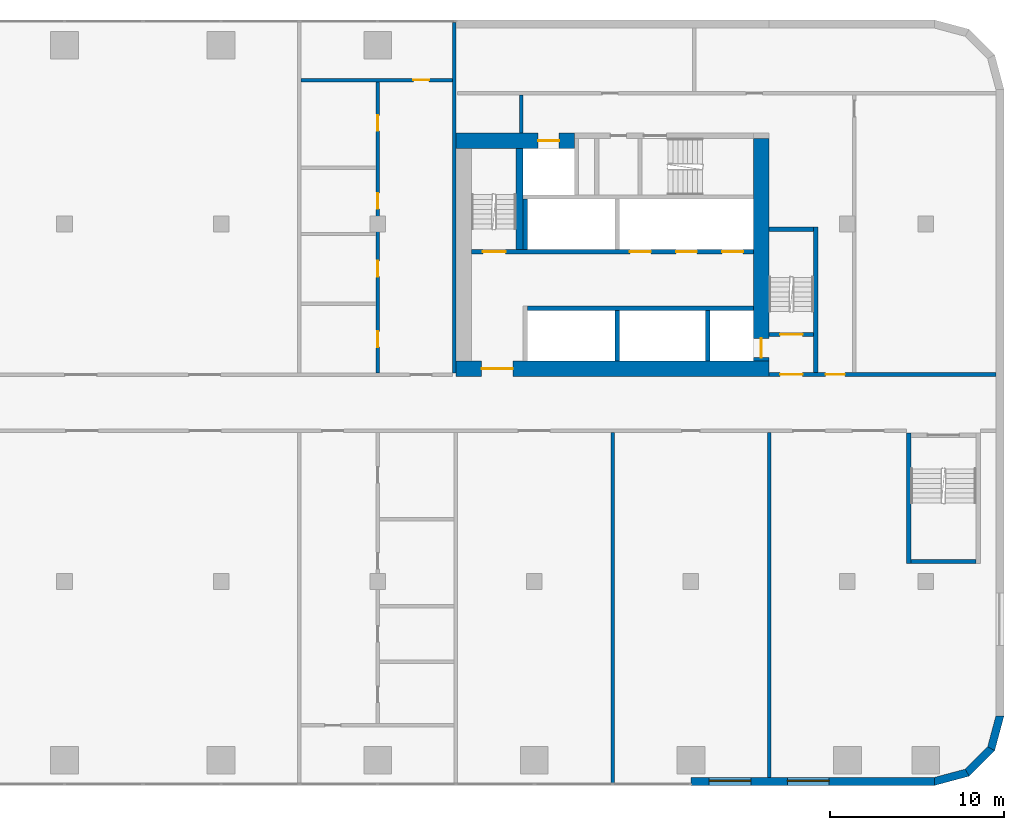
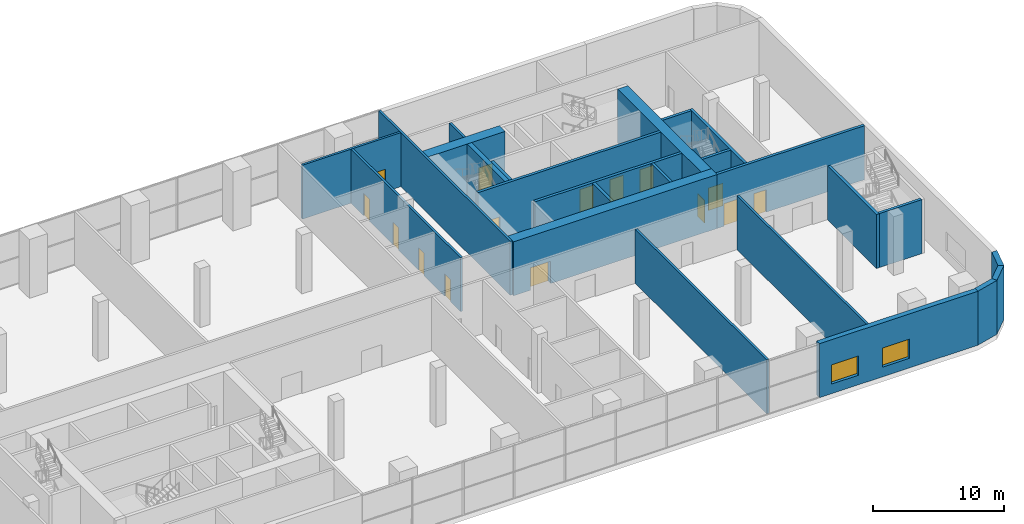
# One storey, part 12 of 21: 25 walls, 15 doors, 2 windows, 17 openings.
"""IFC4 building model written with IfcOpenShell, lengths in metres."""

from ifc_helpers import new_model, si_unit, direction, frame, frame_2d, origin, place, context, subcontext, project, spatial, polyline, rectangle, outline, extrude, material, layer, layer_set, type_object, element, fill, save


model = new_model("IFC4")

# Units and contexts
model_context = context("Model", 3, precision=1e-05, world=origin(), true_north=direction((0.0, 1.0)))
body_context = subcontext(model_context, "Body", "Model", "MODEL_VIEW")
ifc_project = project(units=[si_unit("LENGTHUNIT", "METRE"), si_unit("AREAUNIT", "SQUARE_METRE"), si_unit("VOLUMEUNIT", "CUBIC_METRE"), si_unit("PLANEANGLEUNIT", "RADIAN"), si_unit("MASSUNIT", "GRAM", prefix="KILO")], contexts=[model_context])

# Site, building, storey
site_placement = place(None, origin())
site = spatial("IfcSite", under=ifc_project, at=site_placement, CompositionType="ELEMENT")
building_placement = place(site_placement, origin())
building = spatial("IfcBuilding", under=site, at=building_placement, Name="Kajstack Hotel Tower", CompositionType="ELEMENT")
storey_placement = place(building_placement, frame((0.0, 0.0, 23.5)))
storey = spatial("IfcBuildingStorey", under=building, at=storey_placement, Name="L03", CompositionType="ELEMENT", Elevation=23.5)

# Wall, opening, door
ifc_material_1 = material(Name="Concrete C60/75", Category="concrete")
ifc_layer_1 = layer(ifc_material_1, 0.89990234375)
ifc_layer_set_1 = layer_set([ifc_layer_1], Name="Core wall 900")
wall_type_1 = type_object("IfcWallType", Name="Core wall 900", PredefinedType="SHEAR", material=ifc_layer_set_1)
wall_1_placement = place(storey_placement, frame((13.5, 1.949951171875, 0.0), z_axis=(0.0, 0.0, 1.0), x_axis=(1.0, 0.0, 0.0)))
wall_1 = element("IfcWall", 1, at=wall_1_placement, inside=storey, type_object=wall_type_1, Name="Core wall E RN", PredefinedType="SHEAR", context=body_context, shape_type="SweptSolid", body=[
    extrude(rectangle(XDim=18.0, YDim=0.89990234375, at=frame_2d((9.0, 0.0))), origin(), (0.0, 0.0, 1.0), 5.050048828125),
])
opening_1_placement = place(wall_1_placement, frame((1.47509765625, 0.0, 0.0)))
opening_1 = element("IfcOpeningElement", 2, at=opening_1_placement, cuts=wall_1, Name="Opening 03E06", PredefinedType="OPENING", context=body_context, shape_type="SweptSolid", body=[
    extrude(rectangle(XDim=1.800048828125, YDim=2.10009765625, at=frame_2d((0.89990234375, 1.050048828125))), frame((0.0, 0.4599609375, 0.0), z_axis=(0.0, -1.0, 0.0), x_axis=(1.0, 0.0, 0.0)), (0.0, 0.0, 1.0), 0.919921875),
])
ifc_material_2 = material(Name="Glazed steel frame, fire-rated glass", Category="steel")
door_type_1 = type_object("IfcDoorType", Name="Lobby double door 1800", OperationType="DOUBLE_DOOR_DOUBLE_SWING", PredefinedType="DOOR", material=ifc_material_2)
door_1_placement = place(opening_1_placement, origin())
door_1 = element("IfcDoor", 3, at=door_1_placement, inside=storey, type_object=door_type_1, Name="Door 03E06", OperationType="DOUBLE_DOOR_DOUBLE_SWING", OverallHeight=2.10009765625, OverallWidth=1.800048828125, PredefinedType="DOOR", context=body_context, shape_type="SweptSolid", body=[
    extrude(rectangle(XDim=1.800048828125, YDim=2.10009765625, at=frame_2d((0.89990234375, 1.050048828125))), frame((0.0, 0.02490234375, 0.0), z_axis=(0.0, -1.0, 0.0), x_axis=(1.0, 0.0, 0.0)), (0.0, 0.0, 1.0), 0.050048828125),
])
fill(opening_1, door_1)

wall_2_placement = place(storey_placement, frame((13.5, 15.050048828125, 0.0), z_axis=(0.0, 0.0, 1.0), x_axis=(1.0, 0.0, 0.0)))
wall_2 = element("IfcWall", 4, at=wall_2_placement, inside=storey, type_object=wall_type_1, Name="Core wall E RS", PredefinedType="SHEAR", context=body_context, shape_type="SweptSolid", body=[
    extrude(rectangle(XDim=6.800048828125, YDim=0.89990234375, at=frame_2d((3.39990234375, 0.0))), origin(), (0.0, 0.0, 1.0), 5.050048828125),
])
opening_2_placement = place(wall_2_placement, frame((4.72509765625, 0.0, 0.0)))
opening_2 = element("IfcOpeningElement", 5, at=opening_2_placement, cuts=wall_2, Name="Opening LD-SV2", PredefinedType="OPENING", context=body_context, shape_type="SweptSolid", body=[
    extrude(rectangle(XDim=1.199951171875, YDim=2.10009765625, at=frame_2d((0.60009765625, 1.050048828125))), frame((0.0, 0.4599609375, 0.0), z_axis=(0.0, -1.0, 0.0), x_axis=(1.0, 0.0, 0.0)), (0.0, 0.0, 1.0), 0.919921875),
])
ifc_material_3 = material(Name="Stainless steel", Category="steel")
door_type_2 = type_object("IfcDoorType", Name="Lift landing door 1200", OperationType="SLIDING_TO_LEFT", PredefinedType="DOOR", material=ifc_material_3)
door_2_placement = place(opening_2_placement, origin())
door_2 = element("IfcDoor", 6, at=door_2_placement, inside=storey, type_object=door_type_2, Name="Landing door SV2", OperationType="SLIDING_TO_LEFT", OverallHeight=2.10009765625, OverallWidth=1.199951171875, PredefinedType="DOOR", context=body_context, shape_type="SweptSolid", body=[
    extrude(rectangle(XDim=1.199951171875, YDim=2.10009765625, at=frame_2d((0.60009765625, 1.050048828125))), frame((0.0, 0.02490234375, 0.0), z_axis=(0.0, -1.0, 0.0), x_axis=(1.0, 0.0, 0.0)), (0.0, 0.0, 1.0), 0.050048828125),
])
fill(opening_2, door_2)

wall_3_placement = place(storey_placement, frame((31.050048828125, 2.39990234375, 0.0), z_axis=(0.0, 0.0, 1.0), x_axis=(0.0, 1.0, 0.0)))
wall_3 = element("IfcWall", 7, at=wall_3_placement, inside=storey, type_object=wall_type_1, Name="Core wall E RW", PredefinedType="SHEAR", context=body_context, shape_type="SweptSolid", body=[
    extrude(rectangle(XDim=12.800048828125, YDim=0.89990234375, at=frame_2d((6.39990234375, 0.0))), origin(), (0.0, 0.0, 1.0), 5.050048828125),
])
opening_3_placement = place(wall_3_placement, frame((0.199951171875, 0.0, 0.0)))
opening_3 = element("IfcOpeningElement", 8, at=opening_3_placement, cuts=wall_3, Name="Opening LD-FF2", PredefinedType="OPENING", context=body_context, shape_type="SweptSolid", body=[
    extrude(rectangle(XDim=1.10009765625, YDim=2.10009765625, at=frame_2d((0.550048828125, 1.050048828125))), frame((0.0, 0.4599609375, 0.0), z_axis=(0.0, -1.0, 0.0), x_axis=(1.0, 0.0, 0.0)), (0.0, 0.0, 1.0), 0.919921875),
])
door_type_3 = type_object("IfcDoorType", Name="Fire-fighting lift landing door 1100", OperationType="SLIDING_TO_LEFT", PredefinedType="DOOR", material=ifc_material_3)
door_3_placement = place(opening_3_placement, origin())
door_3 = element("IfcDoor", 9, at=door_3_placement, inside=storey, type_object=door_type_3, Name="Landing door FF2", OperationType="SLIDING_TO_LEFT", OverallHeight=2.10009765625, OverallWidth=1.10009765625, PredefinedType="DOOR", context=body_context, shape_type="SweptSolid", body=[
    extrude(rectangle(XDim=1.10009765625, YDim=2.10009765625, at=frame_2d((0.550048828125, 1.050048828125))), frame((0.0, 0.02490234375, 0.0), z_axis=(0.0, -1.0, 0.0), x_axis=(1.0, 0.0, 0.0)), (0.0, 0.0, 1.0), 0.050048828125),
])
fill(opening_3, door_3)

# Wall, openings, windows
ifc_material_4 = material(Name="Terracotta-faced brick masonry", Category="masonry")
ifc_layer_2 = layer(ifc_material_4, 0.449951171875)
ifc_layer_set_2 = layer_set([ifc_layer_2], Name="EW-TERRA")
wall_type_2 = type_object("IfcWallType", Name="EW-TERRA", PredefinedType="SOLIDWALL", material=ifc_layer_set_2)
wall_4_placement = place(storey_placement, frame((27.0, -21.77490234375, 0.0), z_axis=(0.0, 0.0, 1.0), x_axis=(1.0, 0.0, 0.0)))
wall_4 = element("IfcWall", 10, at=wall_4_placement, inside=storey, type_object=wall_type_2, Name="E-wall-L03-03-03", PredefinedType="SOLIDWALL", context=body_context, shape_type="SweptSolid", body=[
    extrude(rectangle(XDim=14.0, YDim=0.449951171875, at=frame_2d((7.0, 0.0))), origin(), (0.0, 0.0, 1.0), 5.050048828125),
])
opening_4_placement = place(wall_4_placement, frame((1.050048828125, 0.0, 0.89990234375)))
opening_4 = element("IfcOpeningElement", 11, at=opening_4_placement, cuts=wall_4, Name="Opening W4", PredefinedType="OPENING", context=body_context, shape_type="SweptSolid", body=[
    extrude(rectangle(XDim=2.39990234375, YDim=1.800048828125, at=frame_2d((1.199951171875, 0.89990234375))), frame((0.0, 0.23486328125, 0.0), z_axis=(0.0, -1.0, 0.0), x_axis=(1.0, 0.0, 0.0)), (0.0, 0.0, 1.0), 0.469970703125),
])
opening_5_placement = place(wall_4_placement, frame((5.550048828125, 0.0, 0.89990234375)))
opening_5 = element("IfcOpeningElement", 12, at=opening_5_placement, cuts=wall_4, Name="Opening W4", PredefinedType="OPENING", context=body_context, shape_type="SweptSolid", body=[
    extrude(rectangle(XDim=2.39990234375, YDim=1.800048828125, at=frame_2d((1.199951171875, 0.89990234375))), frame((0.0, 0.23486328125, 0.0), z_axis=(0.0, -1.0, 0.0), x_axis=(1.0, 0.0, 0.0)), (0.0, 0.0, 1.0), 0.469970703125),
])
ifc_material_5 = material(Name="Timber-aluminium window, triple glazed", Category="wood")
window_type = type_object("IfcWindowType", Name="WP1", PartitioningType="SINGLE_PANEL", PredefinedType="WINDOW", material=ifc_material_5)
window_1_placement = place(opening_4_placement, origin())
window_1 = element("IfcWindow", 13, at=window_1_placement, inside=storey, type_object=window_type, Name="Window W4 L03-03", OverallHeight=1.800048828125, OverallWidth=2.39990234375, PartitioningType="SINGLE_PANEL", PredefinedType="WINDOW", context=body_context, shape_type="SweptSolid", body=[
    extrude(rectangle(XDim=2.39990234375, YDim=1.800048828125, at=frame_2d((1.199951171875, 0.89990234375))), frame((0.0, 0.090087890625, 0.0), z_axis=(0.0, -1.0, 0.0), x_axis=(1.0, 0.0, 0.0)), (0.0, 0.0, 1.0), 0.06005859375),
])
fill(opening_4, window_1)
window_2_placement = place(opening_5_placement, origin())
window_2 = element("IfcWindow", 14, at=window_2_placement, inside=storey, type_object=window_type, Name="Window W4 L03-03", OverallHeight=1.800048828125, OverallWidth=2.39990234375, PartitioningType="SINGLE_PANEL", PredefinedType="WINDOW", context=body_context, shape_type="SweptSolid", body=[
    extrude(rectangle(XDim=2.39990234375, YDim=1.800048828125, at=frame_2d((1.199951171875, 0.89990234375))), frame((0.0, 0.090087890625, 0.0), z_axis=(0.0, -1.0, 0.0), x_axis=(1.0, 0.0, 0.0)), (0.0, 0.0, 1.0), 0.06005859375),
])
fill(opening_5, window_2)

# Walls
wall_5_placement = place(storey_placement, frame((40.941650390625, -21.78271484375, 0.0), z_axis=(0.0, 0.0, 1.0), x_axis=(0.965926999034, 0.25881466832, 0.0)))
element("IfcWall", 15, at=wall_5_placement, inside=storey, type_object=wall_type_2, Name="E-wall-L03-04-00", PredefinedType="SOLIDWALL", context=body_context, shape_type="SweptSolid", body=[
    extrude(outline(polyline([(0.000244140625, -0.22509765625), (2.070556640625, -0.224853515625), (1.9501953125, 0.22509765625), (0.12060546875, 0.22509765625), (0.000244140625, -0.22509765625)])), origin(), (0.0, 0.0, 1.0), 5.050048828125),
])
wall_6_placement = place(storey_placement, frame((42.8408203125, -21.304931640625, 0.0), z_axis=(0.0, 0.0, 1.0), x_axis=(0.707106781187, 0.707106781187, 0.0)))
element("IfcWall", 16, at=wall_6_placement, inside=storey, type_object=wall_type_2, Name="E-wall-L03-05-00", PredefinedType="SOLIDWALL", context=body_context, shape_type="SweptSolid", body=[
    extrude(outline(polyline([(0.0, -0.22509765625), (2.070556640625, -0.22509765625), (1.949951171875, 0.224853515625), (0.12060546875, 0.224853515625), (0.0, -0.22509765625)])), origin(), (0.0, 0.0, 1.0), 5.050048828125),
])
wall_7_placement = place(storey_placement, frame((44.246826171875, -19.941650390625, 0.0), z_axis=(0.0, 0.0, 1.0), x_axis=(0.25881466832, 0.965926999034, 0.0)))
element("IfcWall", 17, at=wall_7_placement, inside=storey, type_object=wall_type_2, Name="E-wall-L03-06-00", PredefinedType="SOLIDWALL", context=body_context, shape_type="SweptSolid", body=[
    extrude(outline(polyline([(-0.000244140625, -0.224853515625), (2.0703125, -0.22509765625), (1.949951171875, 0.22509765625), (0.120361328125, 0.22509765625), (-0.000244140625, -0.224853515625)])), origin(), (0.0, 0.0, 1.0), 5.050048828125),
])
ifc_material_6 = material(Name="Concrete C50/60", Category="concrete")
ifc_layer_3 = layer(ifc_material_6, 0.300048828125)
ifc_layer_set_3 = layer_set([ifc_layer_3], Name="Hoistway divider wall 300")
wall_type_3 = type_object("IfcWallType", Name="Hoistway divider wall 300", PredefinedType="SHEAR", material=ifc_layer_set_3)
wall_8_placement = place(storey_placement, frame((22.77490234375, 2.39990234375, 0.0), z_axis=(0.0, 0.0, 1.0), x_axis=(0.0, 1.0, 0.0)))
element("IfcWall", 18, at=wall_8_placement, inside=storey, type_object=wall_type_3, Name="Core wall E AP2", PredefinedType="SHEAR", context=body_context, shape_type="SweptSolid", body=[
    extrude(rectangle(XDim=2.900146484375, YDim=0.25, at=frame_2d((1.4501953125, 0.0))), origin(), (0.0, 0.0, 1.0), 5.050048828125),
])

# Wall, openings, doors
ifc_material_7 = material(Name="Gypsum board on steel studs, mineral wool", Category="steel")
ifc_layer_4 = layer(ifc_material_7, 0.199951171875)
ifc_layer_set_4 = layer_set([ifc_layer_4], Name="Public partition 200")
wall_type_4 = type_object("IfcWallType", Name="Public partition 200", PredefinedType="PARTITIONING", material=ifc_layer_set_4)
wall_9_placement = place(storey_placement, frame((9.0, 1.699951171875, 0.0), z_axis=(0.0, 0.0, 1.0), x_axis=(0.0, 1.0, 0.0)))
wall_9 = element("IfcWall", 19, at=wall_9_placement, inside=storey, type_object=wall_type_4, Name="Partition C0CW", PredefinedType="PARTITIONING", context=body_context, shape_type="SweptSolid", body=[
    extrude(rectangle(XDim=16.75, YDim=0.199951171875, at=frame_2d((8.375, 0.0))), origin(), (0.0, 0.0, 1.0), 5.050048828125),
])
opening_6_placement = place(wall_9_placement, frame((1.5, 0.0, 0.0)))
opening_6 = element("IfcOpeningElement", 20, at=opening_6_placement, cuts=wall_9, Name="Opening 03P02", PredefinedType="OPENING", context=body_context, shape_type="SweptSolid", body=[
    extrude(rectangle(XDim=0.89990234375, YDim=2.10009765625, at=frame_2d((0.449951171875, 1.050048828125))), frame((0.0, 0.10986328125, 0.0), z_axis=(0.0, -1.0, 0.0), x_axis=(1.0, 0.0, 0.0)), (0.0, 0.0, 1.0), 0.219970703125),
])
opening_7_placement = place(wall_9_placement, frame((5.550048828125, 0.0, 0.0)))
opening_7 = element("IfcOpeningElement", 21, at=opening_7_placement, cuts=wall_9, Name="Opening 03P03", PredefinedType="OPENING", context=body_context, shape_type="SweptSolid", body=[
    extrude(rectangle(XDim=0.89990234375, YDim=2.10009765625, at=frame_2d((0.449951171875, 1.050048828125))), frame((0.0, 0.10986328125, 0.0), z_axis=(0.0, -1.0, 0.0), x_axis=(1.0, 0.0, 0.0)), (0.0, 0.0, 1.0), 0.219970703125),
])
opening_8_placement = place(wall_9_placement, frame((9.449951171875, 0.0, 0.0)))
opening_8 = element("IfcOpeningElement", 22, at=opening_8_placement, cuts=wall_9, Name="Opening 03P04", PredefinedType="OPENING", context=body_context, shape_type="SweptSolid", body=[
    extrude(rectangle(XDim=0.89990234375, YDim=2.10009765625, at=frame_2d((0.449951171875, 1.050048828125))), frame((0.0, 0.10986328125, 0.0), z_axis=(0.0, -1.0, 0.0), x_axis=(1.0, 0.0, 0.0)), (0.0, 0.0, 1.0), 0.219970703125),
])
opening_9_placement = place(wall_9_placement, frame((13.925048828125, 0.0, 0.0)))
opening_9 = element("IfcOpeningElement", 23, at=opening_9_placement, cuts=wall_9, Name="Opening 03P05", PredefinedType="OPENING", context=body_context, shape_type="SweptSolid", body=[
    extrude(rectangle(XDim=0.89990234375, YDim=2.10009765625, at=frame_2d((0.449951171875, 1.050048828125))), frame((0.0, 0.10986328125, 0.0), z_axis=(0.0, -1.0, 0.0), x_axis=(1.0, 0.0, 0.0)), (0.0, 0.0, 1.0), 0.219970703125),
])
ifc_material_8 = material(Name="Timber leaf", Category="wood")
door_type_4 = type_object("IfcDoorType", Name="Public room door 900", OperationType="SINGLE_SWING_LEFT", PredefinedType="DOOR", material=ifc_material_8)
door_4_placement = place(opening_6_placement, origin())
door_4 = element("IfcDoor", 24, at=door_4_placement, inside=storey, type_object=door_type_4, Name="Door 03P02", OperationType="SINGLE_SWING_LEFT", OverallHeight=2.10009765625, OverallWidth=0.89990234375, PredefinedType="DOOR", context=body_context, shape_type="SweptSolid", body=[
    extrude(rectangle(XDim=0.89990234375, YDim=2.10009765625, at=frame_2d((0.449951171875, 1.050048828125))), frame((0.0, 0.02490234375, 0.0), z_axis=(0.0, -1.0, 0.0), x_axis=(1.0, 0.0, 0.0)), (0.0, 0.0, 1.0), 0.050048828125),
])
fill(opening_6, door_4)
door_5_placement = place(opening_7_placement, origin())
door_5 = element("IfcDoor", 25, at=door_5_placement, inside=storey, type_object=door_type_4, Name="Door 03P03", OperationType="SINGLE_SWING_LEFT", OverallHeight=2.10009765625, OverallWidth=0.89990234375, PredefinedType="DOOR", context=body_context, shape_type="SweptSolid", body=[
    extrude(rectangle(XDim=0.89990234375, YDim=2.10009765625, at=frame_2d((0.449951171875, 1.050048828125))), frame((0.0, 0.02490234375, 0.0), z_axis=(0.0, -1.0, 0.0), x_axis=(1.0, 0.0, 0.0)), (0.0, 0.0, 1.0), 0.050048828125),
])
fill(opening_7, door_5)
door_6_placement = place(opening_8_placement, origin())
door_6 = element("IfcDoor", 26, at=door_6_placement, inside=storey, type_object=door_type_4, Name="Door 03P04", OperationType="SINGLE_SWING_LEFT", OverallHeight=2.10009765625, OverallWidth=0.89990234375, PredefinedType="DOOR", context=body_context, shape_type="SweptSolid", body=[
    extrude(rectangle(XDim=0.89990234375, YDim=2.10009765625, at=frame_2d((0.449951171875, 1.050048828125))), frame((0.0, 0.02490234375, 0.0), z_axis=(0.0, -1.0, 0.0), x_axis=(1.0, 0.0, 0.0)), (0.0, 0.0, 1.0), 0.050048828125),
])
fill(opening_8, door_6)
door_7_placement = place(opening_9_placement, origin())
door_7 = element("IfcDoor", 27, at=door_7_placement, inside=storey, type_object=door_type_4, Name="Door 03P05", OperationType="SINGLE_SWING_LEFT", OverallHeight=2.10009765625, OverallWidth=0.89990234375, PredefinedType="DOOR", context=body_context, shape_type="SweptSolid", body=[
    extrude(rectangle(XDim=0.89990234375, YDim=2.10009765625, at=frame_2d((0.449951171875, 1.050048828125))), frame((0.0, 0.02490234375, 0.0), z_axis=(0.0, -1.0, 0.0), x_axis=(1.0, 0.0, 0.0)), (0.0, 0.0, 1.0), 0.050048828125),
])
fill(opening_9, door_7)

# Wall, opening, door
wall_10_placement = place(storey_placement, frame((4.60009765625, 18.550048828125, 0.0), z_axis=(0.0, 0.0, 1.0), x_axis=(1.0, 0.0, 0.0)))
wall_10 = element("IfcWall", 28, at=wall_10_placement, inside=storey, type_object=wall_type_4, Name="Partition C0BW", PredefinedType="PARTITIONING", context=body_context, shape_type="SweptSolid", body=[
    extrude(rectangle(XDim=8.699951171875, YDim=0.199951171875, at=frame_2d((4.35009765625, 0.0))), origin(), (0.0, 0.0, 1.0), 5.050048828125),
])
opening_10_placement = place(wall_10_placement, frame((6.449951171875, 0.0, 0.0)))
opening_10 = element("IfcOpeningElement", 29, at=opening_10_placement, cuts=wall_10, Name="Opening 03P06", PredefinedType="OPENING", context=body_context, shape_type="SweptSolid", body=[
    extrude(rectangle(XDim=0.89990234375, YDim=2.10009765625, at=frame_2d((0.449951171875, 1.050048828125))), frame((0.0, 0.10986328125, 0.0), z_axis=(0.0, -1.0, 0.0), x_axis=(1.0, 0.0, 0.0)), (0.0, 0.0, 1.0), 0.219970703125),
])
door_8_placement = place(opening_10_placement, origin())
door_8 = element("IfcDoor", 30, at=door_8_placement, inside=storey, type_object=door_type_4, Name="Door 03P06", OperationType="SINGLE_SWING_LEFT", OverallHeight=2.10009765625, OverallWidth=0.89990234375, PredefinedType="DOOR", context=body_context, shape_type="SweptSolid", body=[
    extrude(rectangle(XDim=0.89990234375, YDim=2.10009765625, at=frame_2d((0.449951171875, 1.050048828125))), frame((0.0, 0.02490234375, 0.0), z_axis=(0.0, -1.0, 0.0), x_axis=(1.0, 0.0, 0.0)), (0.0, 0.0, 1.0), 0.050048828125),
])
fill(opening_10, door_8)

# Walls
for number, where, z_axis, x_axis, name in (
    (31, (13.39990234375, 1.699951171875, 0.0), (0.0, 0.0, 1.0), (0.0, 1.0, 0.0), "Partition EW"),
    (32, (22.5, -21.85009765625, 0.0), (0.0, 0.0, 1.0), (0.0, 1.0, 0.0), "Partition SPX2"),
):
    element("IfcWall", number, at=place(storey_placement, frame(where, z_axis=z_axis, x_axis=x_axis)), inside=storey, type_object=wall_type_4, Name=name, PredefinedType="PARTITIONING", context=body_context, shape_type="SweptSolid", body=[
        extrude(rectangle(XDim=20.150146484375, YDim=0.199951171875, at=frame_2d((10.0751953125, 0.0))), origin(), (0.0, 0.0, 1.0), 5.050048828125),
    ])
wall_11_placement = place(storey_placement, frame((31.5, -21.550048828125, 0.0), z_axis=(0.0, 0.0, 1.0), x_axis=(0.0, 1.0, 0.0)))
element("IfcWall", 33, at=wall_11_placement, inside=storey, type_object=wall_type_4, Name="Partition SPX3", PredefinedType="PARTITIONING", context=body_context, shape_type="SweptSolid", body=[
    extrude(rectangle(XDim=19.85009765625, YDim=0.199951171875, at=frame_2d((9.925048828125, 0.0))), origin(), (0.0, 0.0, 1.0), 5.050048828125),
])

# Wall, openings, doors
ifc_layer_5 = layer(ifc_material_7, 0.199951171875)
ifc_layer_set_5 = layer_set([ifc_layer_5], Name="Service partition 200")
wall_type_5 = type_object("IfcWallType", Name="Service partition 200", PredefinedType="PARTITIONING", material=ifc_layer_set_5)
wall_12_placement = place(storey_placement, frame((31.5, 1.625, 0.0), z_axis=(0.0, 0.0, 1.0), x_axis=(1.0, 0.0, 0.0)))
wall_12 = element("IfcWall", 34, at=wall_12_placement, inside=storey, type_object=wall_type_5, Name="Partition E SN", PredefinedType="PARTITIONING", context=body_context, shape_type="SweptSolid", body=[
    extrude(rectangle(XDim=13.050048828125, YDim=0.25, at=frame_2d((6.52490234375, 0.0))), origin(), (0.0, 0.0, 1.0), 5.050048828125),
])
opening_11_placement = place(wall_12_placement, frame((0.625, 0.0, 0.0)))
opening_11 = element("IfcOpeningElement", 35, at=opening_11_placement, cuts=wall_12, Name="Opening 03E07", PredefinedType="OPENING", context=body_context, shape_type="SweptSolid", body=[
    extrude(rectangle(XDim=1.300048828125, YDim=2.10009765625, at=frame_2d((0.64990234375, 1.050048828125))), frame((0.0, 0.135009765625, 0.0), z_axis=(0.0, -1.0, 0.0), x_axis=(1.0, 0.0, 0.0)), (0.0, 0.0, 1.0), 0.27001953125),
])
opening_12_placement = place(wall_12_placement, frame((3.25, 0.0, 0.0)))
opening_12 = element("IfcOpeningElement", 36, at=opening_12_placement, cuts=wall_12, Name="Opening 03E09", PredefinedType="OPENING", context=body_context, shape_type="SweptSolid", body=[
    extrude(rectangle(XDim=1.10009765625, YDim=2.10009765625, at=frame_2d((0.550048828125, 1.050048828125))), frame((0.0, 0.135009765625, 0.0), z_axis=(0.0, -1.0, 0.0), x_axis=(1.0, 0.0, 0.0)), (0.0, 0.0, 1.0), 0.27001953125),
])
ifc_material_9 = material(Name="Steel leaf, fire-rated", Category="steel")
door_type_5 = type_object("IfcDoorType", Name="Fire lobby door 1300", OperationType="SINGLE_SWING_LEFT", PredefinedType="DOOR", material=ifc_material_9)
door_9_placement = place(opening_11_placement, origin())
door_9 = element("IfcDoor", 37, at=door_9_placement, inside=storey, type_object=door_type_5, Name="Door 03E07", OperationType="SINGLE_SWING_LEFT", OverallHeight=2.10009765625, OverallWidth=1.300048828125, PredefinedType="DOOR", context=body_context, shape_type="SweptSolid", body=[
    extrude(rectangle(XDim=1.300048828125, YDim=2.10009765625, at=frame_2d((0.64990234375, 1.050048828125))), frame((0.0, 0.02490234375, 0.0), z_axis=(0.0, -1.0, 0.0), x_axis=(1.0, 0.0, 0.0)), (0.0, 0.0, 1.0), 0.050048828125),
])
fill(opening_11, door_9)
ifc_material_10 = material(Name="Timber leaf, fire-rated", Category="wood")
door_type_6 = type_object("IfcDoorType", Name="Service corridor door 1100", OperationType="SINGLE_SWING_LEFT", PredefinedType="DOOR", material=ifc_material_10)
door_10_placement = place(opening_12_placement, origin())
door_10 = element("IfcDoor", 38, at=door_10_placement, inside=storey, type_object=door_type_6, Name="Door 03E09", OperationType="SINGLE_SWING_LEFT", OverallHeight=2.10009765625, OverallWidth=1.10009765625, PredefinedType="DOOR", context=body_context, shape_type="SweptSolid", body=[
    extrude(rectangle(XDim=1.10009765625, YDim=2.10009765625, at=frame_2d((0.550048828125, 1.050048828125))), frame((0.0, 0.02490234375, 0.0), z_axis=(0.0, -1.0, 0.0), x_axis=(1.0, 0.0, 0.0)), (0.0, 0.0, 1.0), 0.050048828125),
])
fill(opening_12, door_10)

# Walls
wall_13_placement = place(storey_placement, frame((17.25, 15.5, 0.0), z_axis=(0.0, 0.0, 1.0), x_axis=(0.0, 1.0, 0.0)))
element("IfcWall", 39, at=wall_13_placement, inside=storey, type_object=wall_type_5, Name="Partition E SCE", PredefinedType="PARTITIONING", context=body_context, shape_type="SweptSolid", body=[
    extrude(rectangle(XDim=2.199951171875, YDim=0.199951171875, at=frame_2d((1.10009765625, 0.0))), origin(), (0.0, 0.0, 1.0), 5.050048828125),
])
ifc_layer_6 = layer(ifc_material_6, 0.25)
ifc_layer_set_6 = layer_set([ifc_layer_6], Name="Shaft wall 250")
wall_type_6 = type_object("IfcWallType", Name="Shaft wall 250", PredefinedType="SHEAR", material=ifc_layer_set_6)
wall_14_placement = place(storey_placement, frame((17.60009765625, 5.425048828125, 0.0), z_axis=(0.0, 0.0, 1.0), x_axis=(1.0, 0.0, 0.0)))
element("IfcWall", 40, at=wall_14_placement, inside=storey, type_object=wall_type_6, Name="Core wall E FA", PredefinedType="SHEAR", context=body_context, shape_type="SweptSolid", body=[
    extrude(rectangle(XDim=13.0, YDim=0.25, at=frame_2d((6.5, 0.0))), origin(), (0.0, 0.0, 1.0), 5.050048828125),
])
wall_15_placement = place(storey_placement, frame((27.97509765625, 2.39990234375, 0.0), z_axis=(0.0, 0.0, 1.0), x_axis=(0.0, 1.0, 0.0)))
element("IfcWall", 41, at=wall_15_placement, inside=storey, type_object=wall_type_6, Name="Core wall E AP0", PredefinedType="SHEAR", context=body_context, shape_type="SweptSolid", body=[
    extrude(rectangle(XDim=2.900146484375, YDim=0.25, at=frame_2d((1.4501953125, 0.0))), origin(), (0.0, 0.0, 1.0), 5.050048828125),
])

# Wall, openings, doors
wall_16_placement = place(storey_placement, frame((14.39990234375, 8.675048828125, 0.0), z_axis=(0.0, 0.0, 1.0), x_axis=(1.0, 0.0, 0.0)))
wall_16 = element("IfcWall", 42, at=wall_16_placement, inside=storey, type_object=wall_type_6, Name="Core wall E FB", PredefinedType="SHEAR", context=body_context, shape_type="SweptSolid", body=[
    extrude(rectangle(XDim=16.2001953125, YDim=0.25, at=frame_2d((8.10009765625, 0.0))), origin(), (0.0, 0.0, 1.0), 5.050048828125),
])
opening_13_placement = place(wall_16_placement, frame((14.39990234375, 0.0, 0.0)))
opening_13 = element("IfcOpeningElement", 43, at=opening_13_placement, cuts=wall_16, Name="Opening LD-LR4", PredefinedType="OPENING", context=body_context, shape_type="SweptSolid", body=[
    extrude(rectangle(XDim=1.199951171875, YDim=2.10009765625, at=frame_2d((0.60009765625, 1.050048828125))), frame((0.0, 0.135009765625, 0.0), z_axis=(0.0, -1.0, 0.0), x_axis=(1.0, 0.0, 0.0)), (0.0, 0.0, 1.0), 0.27001953125),
])
opening_14_placement = place(wall_16_placement, frame((11.75, 0.0, 0.0)))
opening_14 = element("IfcOpeningElement", 44, at=opening_14_placement, cuts=wall_16, Name="Opening LD-LR5", PredefinedType="OPENING", context=body_context, shape_type="SweptSolid", body=[
    extrude(rectangle(XDim=1.199951171875, YDim=2.10009765625, at=frame_2d((0.60009765625, 1.050048828125))), frame((0.0, 0.135009765625, 0.0), z_axis=(0.0, -1.0, 0.0), x_axis=(1.0, 0.0, 0.0)), (0.0, 0.0, 1.0), 0.27001953125),
])
opening_15_placement = place(wall_16_placement, frame((9.10009765625, 0.0, 0.0)))
opening_15 = element("IfcOpeningElement", 45, at=opening_15_placement, cuts=wall_16, Name="Opening LD-LR6", PredefinedType="OPENING", context=body_context, shape_type="SweptSolid", body=[
    extrude(rectangle(XDim=1.199951171875, YDim=2.10009765625, at=frame_2d((0.60009765625, 1.050048828125))), frame((0.0, 0.135009765625, 0.0), z_axis=(0.0, -1.0, 0.0), x_axis=(1.0, 0.0, 0.0)), (0.0, 0.0, 1.0), 0.27001953125),
])
opening_16_placement = place(wall_16_placement, frame((0.64990234375, 0.0, 0.0)))
opening_16 = element("IfcOpeningElement", 46, at=opening_16_placement, cuts=wall_16, Name="Opening 03E10", PredefinedType="OPENING", context=body_context, shape_type="SweptSolid", body=[
    extrude(rectangle(XDim=1.300048828125, YDim=2.10009765625, at=frame_2d((0.64990234375, 1.050048828125))), frame((0.0, 0.135009765625, 0.0), z_axis=(0.0, -1.0, 0.0), x_axis=(1.0, 0.0, 0.0)), (0.0, 0.0, 1.0), 0.27001953125),
])
door_11_placement = place(opening_13_placement, origin())
door_11 = element("IfcDoor", 47, at=door_11_placement, inside=storey, type_object=door_type_2, Name="Landing door LR4", OperationType="SLIDING_TO_LEFT", OverallHeight=2.10009765625, OverallWidth=1.199951171875, PredefinedType="DOOR", context=body_context, shape_type="SweptSolid", body=[
    extrude(rectangle(XDim=1.199951171875, YDim=2.10009765625, at=frame_2d((0.60009765625, 1.050048828125))), frame((0.0, 0.02490234375, 0.0), z_axis=(0.0, -1.0, 0.0), x_axis=(1.0, 0.0, 0.0)), (0.0, 0.0, 1.0), 0.050048828125),
])
fill(opening_13, door_11)
door_12_placement = place(opening_14_placement, origin())
door_12 = element("IfcDoor", 48, at=door_12_placement, inside=storey, type_object=door_type_2, Name="Landing door LR5", OperationType="SLIDING_TO_RIGHT", OverallHeight=2.10009765625, OverallWidth=1.199951171875, PredefinedType="DOOR", context=body_context, shape_type="SweptSolid", body=[
    extrude(rectangle(XDim=1.199951171875, YDim=2.10009765625, at=frame_2d((0.60009765625, 1.050048828125))), frame((0.0, 0.02490234375, 0.0), z_axis=(0.0, -1.0, 0.0), x_axis=(1.0, 0.0, 0.0)), (0.0, 0.0, 1.0), 0.050048828125),
])
fill(opening_14, door_12)
door_13_placement = place(opening_15_placement, origin())
door_13 = element("IfcDoor", 49, at=door_13_placement, inside=storey, type_object=door_type_2, Name="Landing door LR6", OperationType="SLIDING_TO_RIGHT", OverallHeight=2.10009765625, OverallWidth=1.199951171875, PredefinedType="DOOR", context=body_context, shape_type="SweptSolid", body=[
    extrude(rectangle(XDim=1.199951171875, YDim=2.10009765625, at=frame_2d((0.60009765625, 1.050048828125))), frame((0.0, 0.02490234375, 0.0), z_axis=(0.0, -1.0, 0.0), x_axis=(1.0, 0.0, 0.0)), (0.0, 0.0, 1.0), 0.050048828125),
])
fill(opening_15, door_13)
door_type_7 = type_object("IfcDoorType", Name="Stair door 1300", OperationType="SINGLE_SWING_LEFT", PredefinedType="DOOR", material=ifc_material_9)
door_14_placement = place(opening_16_placement, origin())
door_14 = element("IfcDoor", 50, at=door_14_placement, inside=storey, type_object=door_type_7, Name="Door 03E10", OperationType="SINGLE_SWING_LEFT", OverallHeight=2.10009765625, OverallWidth=1.300048828125, PredefinedType="DOOR", context=body_context, shape_type="SweptSolid", body=[
    extrude(rectangle(XDim=1.300048828125, YDim=2.10009765625, at=frame_2d((0.64990234375, 1.050048828125))), frame((0.0, 0.02490234375, 0.0), z_axis=(0.0, -1.0, 0.0), x_axis=(1.0, 0.0, 0.0)), (0.0, 0.0, 1.0), 0.050048828125),
])
fill(opening_16, door_14)

# Wall
wall_17_placement = place(storey_placement, frame((17.47509765625, 8.800048828125, 0.0), z_axis=(0.0, 0.0, 1.0), x_axis=(0.0, 1.0, 0.0)))
element("IfcWall", 51, at=wall_17_placement, inside=storey, type_object=wall_type_6, Name="Core wall E BE", PredefinedType="SHEAR", context=body_context, shape_type="SweptSolid", body=[
    extrude(rectangle(XDim=2.89990234375, YDim=0.25, at=frame_2d((1.449951171875, 0.0))), origin(), (0.0, 0.0, 1.0), 5.050048828125),
])

# Wall, opening, door
ifc_material_11 = material(Name="Concrete C40/50", Category="concrete")
ifc_layer_7 = layer(ifc_material_11, 0.25)
ifc_layer_set_7 = layer_set([ifc_layer_7], Name="Stair enclosure wall 250")
wall_type_7 = type_object("IfcWallType", Name="Stair enclosure wall 250", PredefinedType="SHEAR", material=ifc_layer_set_7)
wall_18_placement = place(storey_placement, frame((31.5, 3.925048828125, 0.0), z_axis=(0.0, 0.0, 1.0), x_axis=(1.0, 0.0, 0.0)))
wall_18 = element("IfcWall", 52, at=wall_18_placement, inside=storey, type_object=wall_type_7, Name="Core wall E W1N", PredefinedType="SHEAR", context=body_context, shape_type="SweptSolid", body=[
    extrude(rectangle(XDim=2.550048828125, YDim=0.25, at=frame_2d((1.27490234375, 0.0))), origin(), (0.0, 0.0, 1.0), 5.050048828125),
])
opening_17_placement = place(wall_18_placement, frame((0.625, 0.0, 0.0)))
opening_17 = element("IfcOpeningElement", 53, at=opening_17_placement, cuts=wall_18, Name="Opening 03E08", PredefinedType="OPENING", context=body_context, shape_type="SweptSolid", body=[
    extrude(rectangle(XDim=1.300048828125, YDim=2.10009765625, at=frame_2d((0.64990234375, 1.050048828125))), frame((0.0, 0.135009765625, 0.0), z_axis=(0.0, -1.0, 0.0), x_axis=(1.0, 0.0, 0.0)), (0.0, 0.0, 1.0), 0.27001953125),
])
door_15_placement = place(opening_17_placement, origin())
door_15 = element("IfcDoor", 54, at=door_15_placement, inside=storey, type_object=door_type_7, Name="Door 03E08", OperationType="SINGLE_SWING_LEFT", OverallHeight=2.10009765625, OverallWidth=1.300048828125, PredefinedType="DOOR", context=body_context, shape_type="SweptSolid", body=[
    extrude(rectangle(XDim=1.300048828125, YDim=2.10009765625, at=frame_2d((0.64990234375, 1.050048828125))), frame((0.0, 0.02490234375, 0.0), z_axis=(0.0, -1.0, 0.0), x_axis=(1.0, 0.0, 0.0)), (0.0, 0.0, 1.0), 0.050048828125),
])
fill(opening_17, door_15)

# Walls
wall_19_placement = place(storey_placement, frame((34.175048828125, 1.75, 0.0), z_axis=(0.0, 0.0, 1.0), x_axis=(0.0, 1.0, 0.0)))
element("IfcWall", 55, at=wall_19_placement, inside=storey, type_object=wall_type_7, Name="Core wall E W1W", PredefinedType="SHEAR", context=body_context, shape_type="SweptSolid", body=[
    extrude(rectangle(XDim=8.35009765625, YDim=0.25, at=frame_2d((4.175048828125, 0.0))), origin(), (0.0, 0.0, 1.0), 5.050048828125),
])
wall_20_placement = place(storey_placement, frame((31.5, 9.97509765625, 0.0), z_axis=(0.0, 0.0, 1.0), x_axis=(1.0, 0.0, 0.0)))
element("IfcWall", 56, at=wall_20_placement, inside=storey, type_object=wall_type_7, Name="Core wall E W1S", PredefinedType="SHEAR", context=body_context, shape_type="SweptSolid", body=[
    extrude(rectangle(XDim=2.550048828125, YDim=0.25, at=frame_2d((1.27490234375, 0.0))), origin(), (0.0, 0.0, 1.0), 5.050048828125),
])
wall_21_placement = place(storey_placement, frame((39.52490234375, -9.25, 0.0), z_axis=(0.0, 0.0, 1.0), x_axis=(0.0, 1.0, 0.0)))
element("IfcWall", 57, at=wall_21_placement, inside=storey, type_object=wall_type_7, Name="Stair wall P2 W", PredefinedType="SHEAR", context=body_context, shape_type="SweptSolid", body=[
    extrude(rectangle(XDim=7.5, YDim=0.25, at=frame_2d((3.75, 0.0))), origin(), (0.0, 0.0, 1.0), 5.050048828125),
])
wall_22_placement = place(storey_placement, frame((39.64990234375, -9.125, 0.0), z_axis=(0.0, 0.0, 1.0), x_axis=(1.0, 0.0, 0.0)))
element("IfcWall", 58, at=wall_22_placement, inside=storey, type_object=wall_type_7, Name="Stair wall P2 F", PredefinedType="SHEAR", context=body_context, shape_type="SweptSolid", body=[
    extrude(rectangle(XDim=3.75, YDim=0.25, at=frame_2d((1.875, 0.0))), origin(), (0.0, 0.0, 1.0), 5.050048828125),
])
ifc_layer_8 = layer(ifc_material_6, 0.39990234375)
ifc_layer_set_8 = layer_set([ifc_layer_8], Name="Stair wall 400")
wall_type_8 = type_object("IfcWallType", Name="Stair wall 400", PredefinedType="SHEAR", material=ifc_layer_set_8)
wall_23_placement = place(storey_placement, frame((17.14990234375, 8.800048828125, 0.0), z_axis=(0.0, 0.0, 1.0), x_axis=(0.0, 1.0, 0.0)))
element("IfcWall", 59, at=wall_23_placement, inside=storey, type_object=wall_type_8, Name="Core wall E WW2", PredefinedType="SHEAR", context=body_context, shape_type="SweptSolid", body=[
    extrude(rectangle(XDim=5.800048828125, YDim=0.39990234375, at=frame_2d((2.89990234375, 0.0))), origin(), (0.0, 0.0, 1.0), 5.050048828125),
])

save(model, "model.ifc")
